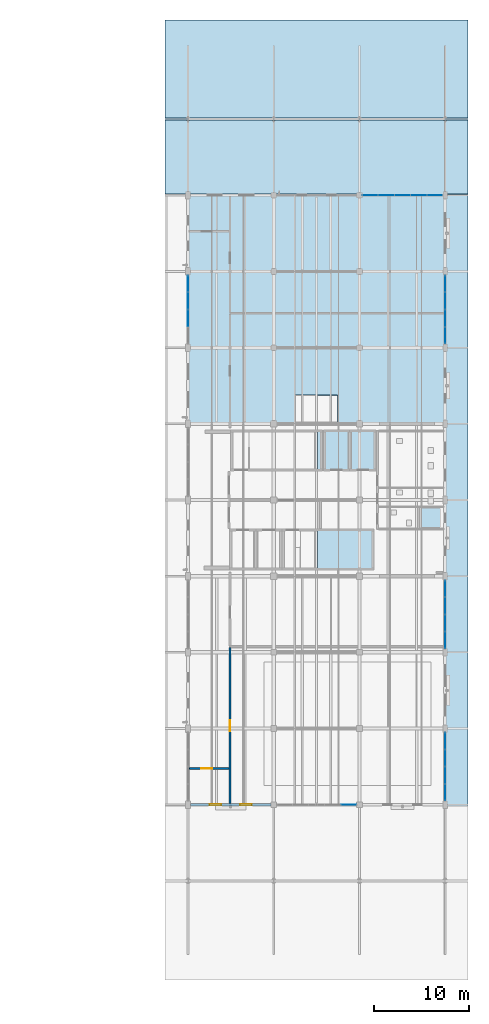
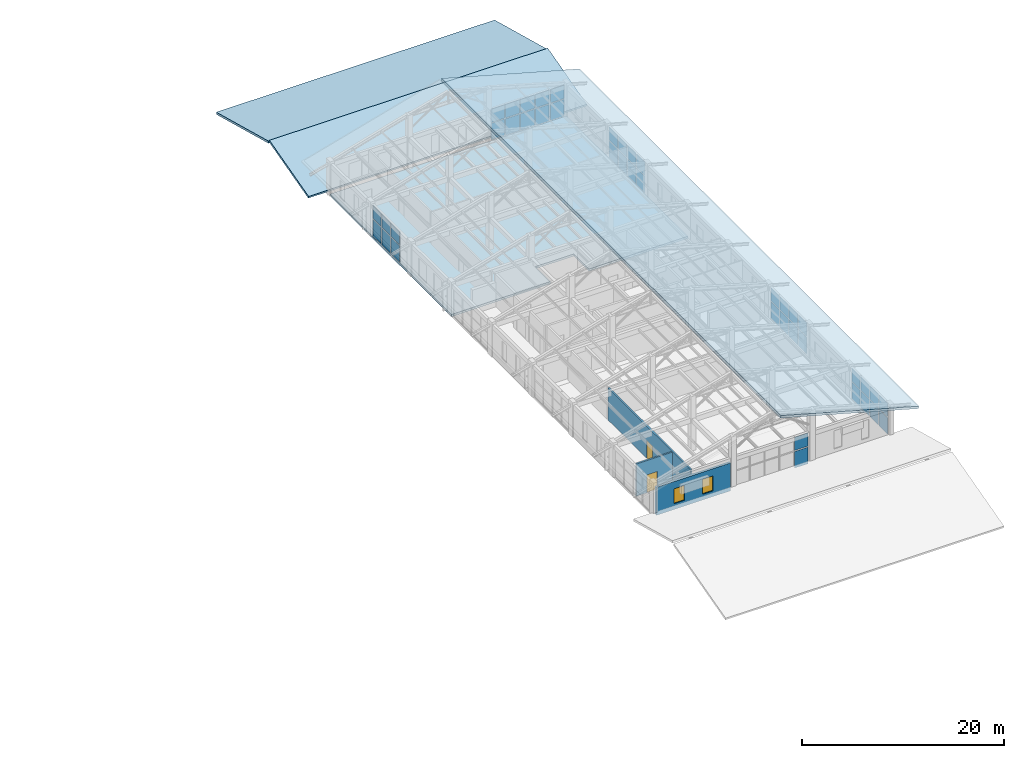
# One storey, part 46 of 58: 42 plates, 4 slabs, 3 walls, 2 doors, 2 windows, 4 openings, 8 elements without a shape of their own.
"""IFC4 building model written with IfcOpenShell, lengths in metres."""

from ifc_helpers import new_model, si_unit, derived_unit, direction, frame, frame_2d, origin, origin_2d, place, context, subcontext, project, spatial, polyline, rectangle, outline, extrude, material, layer, layer_set, type_object, element, fill, aggregate, save


model = new_model("IFC4")

# Units and contexts
model_context = context("Model", 3, precision=1e-05, world=origin(), true_north=direction((0.0, 1.0)))
body_context = subcontext(model_context, "Body", "Model", "MODEL_VIEW")
ifc_project = project(units=[si_unit("LENGTHUNIT", "METRE"), si_unit("AREAUNIT", "SQUARE_METRE"), si_unit("VOLUMEUNIT", "CUBIC_METRE"), si_unit("PLANEANGLEUNIT", "RADIAN"), si_unit("MASSUNIT", "GRAM", prefix="KILO"), derived_unit("THERMALTRANSMITTANCEUNIT", [(si_unit("MASSUNIT", "GRAM", prefix="KILO"), 1), (si_unit("TIMEUNIT", "SECOND"), -3), (si_unit("THERMODYNAMICTEMPERATUREUNIT", "KELVIN"), -1)])], contexts=[model_context])

# Site, building, storey
site_placement = place(None, origin())
site = spatial("IfcSite", under=ifc_project, at=site_placement, CompositionType="ELEMENT")
building_placement = place(site_placement, origin())
building = spatial("IfcBuilding", under=site, at=building_placement, Name="Zhenchuan Archway Interchange", CompositionType="ELEMENT")
storey_placement = place(building_placement, frame((0.0, 0.0, 22.800048828125)))
storey = spatial("IfcBuildingStorey", under=building, at=storey_placement, Name="L05", CompositionType="ELEMENT", Elevation=22.800048828125)

# Curtain wall, plate
ifc_material_1 = material(Name="Anodised Aluminium", Category="aluminium")
curtain_wall_type_1 = type_object("IfcCurtainWallType", Name="CW_UNIT_1", PredefinedType="NOTDEFINED", material=ifc_material_1)
curtain_wall_1_placement = place(storey_placement, origin())
curtain_wall_1 = element("IfcCurtainWall", 1, at=curtain_wall_1_placement, inside=storey, type_object=curtain_wall_type_1, Name="Unitised curtain wall CW:L05:200", PredefinedType="NOTDEFINED")
ifc_material_2 = material(Name="Double Low-E Insulated Glazing", Category="glass")
ifc_layer_1 = layer(ifc_material_2, 0.028076171875)
ifc_layer_set_1 = layer_set([ifc_layer_1], Name="Double Low-E Insulated Glazing")
plate_type_1 = type_object("IfcPlateType", Name="CW_GLZ_1", PredefinedType="CURTAIN_PANEL", material=ifc_layer_set_1)
plate_1_placement = place(storey_placement, frame((160.87548828125, 24.0, 0.080078125), z_axis=(0.0, 0.0, 1.0), x_axis=(-1.0, 0.0, 0.0)))
plate_1 = element("IfcPlate", 2, at=plate_1_placement, type_object=plate_type_1, Name="CW:L05:200 lower glazing panel 0", PredefinedType="CURTAIN_PANEL", context=body_context, shape_type="SweptSolid", body=[
    extrude(rectangle(XDim=1.53271484375, YDim=0.028076171875, at=origin_2d()), origin(), (0.0, 0.0, 1.0), 2.0048828125),
])

# Curtain wall, plates
curtain_wall_type_2 = type_object("IfcCurtainWallType", Name="CW_UNIT_2", PredefinedType="NOTDEFINED", material=ifc_material_1)
curtain_wall_2_placement = place(storey_placement, origin())
curtain_wall_2 = element("IfcCurtainWall", 3, at=curtain_wall_2_placement, inside=storey, type_object=curtain_wall_type_2, Name="Unitised curtain wall CW:L05:205", PredefinedType="NOTDEFINED")
plate_2_placement = place(storey_placement, frame((163.12939453125, 88.0, 0.080078125), z_axis=(0.0, 0.0, 1.0), x_axis=(1.0, 0.0, 0.0)))
plate_2 = element("IfcPlate", 4, at=plate_2_placement, type_object=plate_type_1, Name="CW:L05:205 lower glazing panel 0", PredefinedType="CURTAIN_PANEL", context=body_context, shape_type="SweptSolid", body=[
    extrude(rectangle(XDim=1.542724609375, YDim=0.028076171875, at=origin_2d()), origin(), (0.0, 0.0, 1.0), 2.0048828125),
])
plate_3_placement = place(storey_placement, frame((164.822265625, 88.0, 0.080078125), z_axis=(0.0, 0.0, 1.0), x_axis=(1.0, 0.0, 0.0)))
plate_3 = element("IfcPlate", 5, at=plate_3_placement, type_object=plate_type_1, Name="CW:L05:205 lower glazing panel 1", PredefinedType="CURTAIN_PANEL", context=body_context, shape_type="SweptSolid", body=[
    extrude(rectangle(XDim=1.562744140625, YDim=0.028076171875, at=origin_2d()), origin(), (0.0, 0.0, 1.0), 2.0048828125),
])
plate_4_placement = place(storey_placement, frame((166.52490234375, 88.0, 0.080078125), z_axis=(0.0, 0.0, 1.0), x_axis=(1.0, 0.0, 0.0)))
plate_4 = element("IfcPlate", 6, at=plate_4_placement, type_object=plate_type_1, Name="CW:L05:205 lower glazing panel 2", PredefinedType="CURTAIN_PANEL", context=body_context, shape_type="SweptSolid", body=[
    extrude(rectangle(XDim=1.562744140625, YDim=0.028076171875, at=origin_2d()), origin(), (0.0, 0.0, 1.0), 2.0048828125),
])
plate_5_placement = place(storey_placement, frame((168.227783203125, 88.0, 0.080078125), z_axis=(0.0, 0.0, 1.0), x_axis=(1.0, 0.0, 0.0)))
plate_5 = element("IfcPlate", 7, at=plate_5_placement, type_object=plate_type_1, Name="CW:L05:205 lower glazing panel 3", PredefinedType="CURTAIN_PANEL", context=body_context, shape_type="SweptSolid", body=[
    extrude(rectangle(XDim=1.562744140625, YDim=0.028076171875, at=origin_2d()), origin(), (0.0, 0.0, 1.0), 2.0048828125),
])
plate_6_placement = place(storey_placement, frame((169.920654296875, 88.0, 0.080078125), z_axis=(0.0, 0.0, 1.0), x_axis=(1.0, 0.0, 0.0)))
plate_6 = element("IfcPlate", 8, at=plate_6_placement, type_object=plate_type_1, Name="CW:L05:205 lower glazing panel 4", PredefinedType="CURTAIN_PANEL", context=body_context, shape_type="SweptSolid", body=[
    extrude(rectangle(XDim=1.542724609375, YDim=0.028076171875, at=origin_2d()), origin(), (0.0, 0.0, 1.0), 2.0048828125),
])

# Plate
ifc_layer_2 = layer(ifc_material_2, 0.02587890625)
ifc_layer_set_2 = layer_set([ifc_layer_2], Name="Double Low-E Insulated Glazing")
plate_type_2 = type_object("IfcPlateType", Name="CW_GLZ_2", PredefinedType="CURTAIN_PANEL", material=ifc_layer_set_2)
plate_7_placement = place(storey_placement, frame((160.87548828125, 24.0, 2.205078125), z_axis=(0.0, 0.0, 1.0), x_axis=(-1.0, 0.0, 0.0)))
plate_7 = element("IfcPlate", 9, at=plate_7_placement, type_object=plate_type_2, Name="CW:L05:200 upper glazing panel 0", PredefinedType="CURTAIN_PANEL", context=body_context, shape_type="SweptSolid", body=[
    extrude(rectangle(XDim=1.53271484375, YDim=0.02587890625, at=origin_2d()), origin(), (0.0, 0.0, 1.0), 1.614990234375),
])

aggregate(curtain_wall_1, [plate_1, plate_7])

plate_8_placement = place(storey_placement, frame((163.12939453125, 88.0, 2.205078125), z_axis=(0.0, 0.0, 1.0), x_axis=(1.0, 0.0, 0.0)))
plate_8 = element("IfcPlate", 10, at=plate_8_placement, type_object=plate_type_2, Name="CW:L05:205 upper glazing panel 0", PredefinedType="CURTAIN_PANEL", context=body_context, shape_type="SweptSolid", body=[
    extrude(rectangle(XDim=1.542724609375, YDim=0.02587890625, at=origin_2d()), origin(), (0.0, 0.0, 1.0), 1.614990234375),
])

plate_9_placement = place(storey_placement, frame((164.822265625, 88.0, 2.205078125), z_axis=(0.0, 0.0, 1.0), x_axis=(1.0, 0.0, 0.0)))
plate_9 = element("IfcPlate", 11, at=plate_9_placement, type_object=plate_type_2, Name="CW:L05:205 upper glazing panel 1", PredefinedType="CURTAIN_PANEL", context=body_context, shape_type="SweptSolid", body=[
    extrude(rectangle(XDim=1.562744140625, YDim=0.02587890625, at=origin_2d()), origin(), (0.0, 0.0, 1.0), 1.614990234375),
])

plate_10_placement = place(storey_placement, frame((166.52490234375, 88.0, 2.205078125), z_axis=(0.0, 0.0, 1.0), x_axis=(1.0, 0.0, 0.0)))
plate_10 = element("IfcPlate", 12, at=plate_10_placement, type_object=plate_type_2, Name="CW:L05:205 upper glazing panel 2", PredefinedType="CURTAIN_PANEL", context=body_context, shape_type="SweptSolid", body=[
    extrude(rectangle(XDim=1.562744140625, YDim=0.02587890625, at=origin_2d()), origin(), (0.0, 0.0, 1.0), 1.614990234375),
])

plate_11_placement = place(storey_placement, frame((168.227783203125, 88.0, 2.205078125), z_axis=(0.0, 0.0, 1.0), x_axis=(1.0, 0.0, 0.0)))
plate_11 = element("IfcPlate", 13, at=plate_11_placement, type_object=plate_type_2, Name="CW:L05:205 upper glazing panel 3", PredefinedType="CURTAIN_PANEL", context=body_context, shape_type="SweptSolid", body=[
    extrude(rectangle(XDim=1.562744140625, YDim=0.02587890625, at=origin_2d()), origin(), (0.0, 0.0, 1.0), 1.614990234375),
])

plate_12_placement = place(storey_placement, frame((169.920654296875, 88.0, 2.205078125), z_axis=(0.0, 0.0, 1.0), x_axis=(1.0, 0.0, 0.0)))
plate_12 = element("IfcPlate", 14, at=plate_12_placement, type_object=plate_type_2, Name="CW:L05:205 upper glazing panel 4", PredefinedType="CURTAIN_PANEL", context=body_context, shape_type="SweptSolid", body=[
    extrude(rectangle(XDim=1.542724609375, YDim=0.02587890625, at=origin_2d()), origin(), (0.0, 0.0, 1.0), 1.614990234375),
])

aggregate(curtain_wall_2, [plate_2, plate_8, plate_3, plate_9, plate_4, plate_10, plate_5, plate_11, plate_6, plate_12])

# Curtain wall, plates
curtain_wall_3_placement = place(storey_placement, origin())
curtain_wall_3 = element("IfcCurtainWall", 15, at=curtain_wall_3_placement, inside=storey, type_object=curtain_wall_type_1, Name="Unitised curtain wall CW:L05:204", PredefinedType="NOTDEFINED")
ifc_layer_3 = layer(ifc_material_2, 0.030029296875)
ifc_layer_set_3 = layer_set([ifc_layer_3], Name="Double Low-E Insulated Glazing")
plate_type_3 = type_object("IfcPlateType", Name="CW_GLZ_3", PredefinedType="CURTAIN_PANEL", material=ifc_layer_set_3)
plate_13_placement = place(storey_placement, frame((144.0, 75.092041015625, 0.080078125), z_axis=(0.0, 0.0, 1.0), x_axis=(0.0, 1.0, 0.0)))
plate_13 = element("IfcPlate", 16, at=plate_13_placement, type_object=plate_type_3, Name="CW:L05:204 lower glazing panel 1", PredefinedType="CURTAIN_PANEL", context=body_context, shape_type="SweptSolid", body=[
    extrude(rectangle(XDim=1.676025390625, YDim=0.028076171875, at=origin_2d()), origin(), (0.0, 0.0, 1.0), 2.0048828125),
])
plate_14_placement = place(storey_placement, frame((144.0, 76.907958984375, 0.080078125), z_axis=(0.0, 0.0, 1.0), x_axis=(0.0, 1.0, 0.0)))
plate_14 = element("IfcPlate", 17, at=plate_14_placement, type_object=plate_type_3, Name="CW:L05:204 lower glazing panel 2", PredefinedType="CURTAIN_PANEL", context=body_context, shape_type="SweptSolid", body=[
    extrude(rectangle(XDim=1.676025390625, YDim=0.028076171875, at=origin_2d()), origin(), (0.0, 0.0, 1.0), 2.0048828125),
])
plate_15_placement = place(storey_placement, frame((144.0, 78.714111328125, 0.080078125), z_axis=(0.0, 0.0, 1.0), x_axis=(0.0, 1.0, 0.0)))
plate_15 = element("IfcPlate", 18, at=plate_15_placement, type_object=plate_type_3, Name="CW:L05:204 lower glazing panel 3", PredefinedType="CURTAIN_PANEL", context=body_context, shape_type="SweptSolid", body=[
    extrude(rectangle(XDim=1.656005859375, YDim=0.028076171875, at=origin_2d()), origin(), (0.0, 0.0, 1.0), 2.0048828125),
])

curtain_wall_type_3 = type_object("IfcCurtainWallType", Name="CW_UNIT_3", PredefinedType="NOTDEFINED", material=ifc_material_1)
curtain_wall_4_placement = place(storey_placement, origin())
curtain_wall_4 = element("IfcCurtainWall", 19, at=curtain_wall_4_placement, inside=storey, type_object=curtain_wall_type_3, Name="Unitised curtain wall CW:L05:206", PredefinedType="NOTDEFINED")
plate_16_placement = place(storey_placement, frame((171.0, 78.714111328125, 0.080078125), z_axis=(0.0, 0.0, 1.0), x_axis=(0.0, -1.0, 0.0)))
plate_16 = element("IfcPlate", 20, at=plate_16_placement, type_object=plate_type_3, Name="CW:L05:206 lower glazing panel 0", PredefinedType="CURTAIN_PANEL", context=body_context, shape_type="SweptSolid", body=[
    extrude(rectangle(XDim=1.656005859375, YDim=0.028076171875, at=origin_2d()), origin(), (0.0, 0.0, 1.0), 2.0048828125),
])
plate_17_placement = place(storey_placement, frame((171.0, 76.907958984375, 0.080078125), z_axis=(0.0, 0.0, 1.0), x_axis=(0.0, -1.0, 0.0)))
plate_17 = element("IfcPlate", 21, at=plate_17_placement, type_object=plate_type_3, Name="CW:L05:206 lower glazing panel 1", PredefinedType="CURTAIN_PANEL", context=body_context, shape_type="SweptSolid", body=[
    extrude(rectangle(XDim=1.676025390625, YDim=0.028076171875, at=origin_2d()), origin(), (0.0, 0.0, 1.0), 2.0048828125),
])
plate_18_placement = place(storey_placement, frame((171.0, 75.092041015625, 0.080078125), z_axis=(0.0, 0.0, 1.0), x_axis=(0.0, -1.0, 0.0)))
plate_18 = element("IfcPlate", 22, at=plate_18_placement, type_object=plate_type_3, Name="CW:L05:206 lower glazing panel 2", PredefinedType="CURTAIN_PANEL", context=body_context, shape_type="SweptSolid", body=[
    extrude(rectangle(XDim=1.676025390625, YDim=0.028076171875, at=origin_2d()), origin(), (0.0, 0.0, 1.0), 2.0048828125),
])
plate_19_placement = place(storey_placement, frame((171.0, 73.285888671875, 0.080078125), z_axis=(0.0, 0.0, 1.0), x_axis=(0.0, -1.0, 0.0)))
plate_19 = element("IfcPlate", 23, at=plate_19_placement, type_object=plate_type_3, Name="CW:L05:206 lower glazing panel 3", PredefinedType="CURTAIN_PANEL", context=body_context, shape_type="SweptSolid", body=[
    extrude(rectangle(XDim=1.656005859375, YDim=0.028076171875, at=origin_2d()), origin(), (0.0, 0.0, 1.0), 2.0048828125),
])

curtain_wall_type_4 = type_object("IfcCurtainWallType", Name="CW_UNIT_4", PredefinedType="NOTDEFINED", material=ifc_material_1)
curtain_wall_5_placement = place(storey_placement, origin())
curtain_wall_5 = element("IfcCurtainWall", 24, at=curtain_wall_5_placement, inside=storey, type_object=curtain_wall_type_4, Name="Unitised curtain wall CW:L05:207", PredefinedType="NOTDEFINED")
plate_20_placement = place(storey_placement, frame((171.0, 46.714111328125, 0.080078125), z_axis=(0.0, 0.0, 1.0), x_axis=(0.0, -1.0, 0.0)))
plate_20 = element("IfcPlate", 25, at=plate_20_placement, type_object=plate_type_3, Name="CW:L05:207 lower glazing panel 0", PredefinedType="CURTAIN_PANEL", context=body_context, shape_type="SweptSolid", body=[
    extrude(rectangle(XDim=1.656005859375, YDim=0.028076171875, at=origin_2d()), origin(), (0.0, 0.0, 1.0), 2.0048828125),
])
plate_21_placement = place(storey_placement, frame((171.0, 44.907958984375, 0.080078125), z_axis=(0.0, 0.0, 1.0), x_axis=(0.0, -1.0, 0.0)))
plate_21 = element("IfcPlate", 26, at=plate_21_placement, type_object=plate_type_3, Name="CW:L05:207 lower glazing panel 1", PredefinedType="CURTAIN_PANEL", context=body_context, shape_type="SweptSolid", body=[
    extrude(rectangle(XDim=1.676025390625, YDim=0.028076171875, at=origin_2d()), origin(), (0.0, 0.0, 1.0), 2.0048828125),
])
plate_22_placement = place(storey_placement, frame((171.0, 43.092041015625, 0.080078125), z_axis=(0.0, 0.0, 1.0), x_axis=(0.0, -1.0, 0.0)))
plate_22 = element("IfcPlate", 27, at=plate_22_placement, type_object=plate_type_3, Name="CW:L05:207 lower glazing panel 2", PredefinedType="CURTAIN_PANEL", context=body_context, shape_type="SweptSolid", body=[
    extrude(rectangle(XDim=1.676025390625, YDim=0.028076171875, at=origin_2d()), origin(), (0.0, 0.0, 1.0), 2.0048828125),
])
plate_23_placement = place(storey_placement, frame((171.0, 41.285888671875, 0.080078125), z_axis=(0.0, 0.0, 1.0), x_axis=(0.0, -1.0, 0.0)))
plate_23 = element("IfcPlate", 28, at=plate_23_placement, type_object=plate_type_3, Name="CW:L05:207 lower glazing panel 3", PredefinedType="CURTAIN_PANEL", context=body_context, shape_type="SweptSolid", body=[
    extrude(rectangle(XDim=1.656005859375, YDim=0.028076171875, at=origin_2d()), origin(), (0.0, 0.0, 1.0), 2.0048828125),
])

curtain_wall_6_placement = place(storey_placement, origin())
curtain_wall_6 = element("IfcCurtainWall", 29, at=curtain_wall_6_placement, inside=storey, type_object=curtain_wall_type_1, Name="Unitised curtain wall CW:L05:208", PredefinedType="NOTDEFINED")
plate_24_placement = place(storey_placement, frame((171.0, 30.714111328125, 0.080078125), z_axis=(0.0, 0.0, 1.0), x_axis=(0.0, -1.0, 0.0)))
plate_24 = element("IfcPlate", 30, at=plate_24_placement, type_object=plate_type_3, Name="CW:L05:208 lower glazing panel 0", PredefinedType="CURTAIN_PANEL", context=body_context, shape_type="SweptSolid", body=[
    extrude(rectangle(XDim=1.656005859375, YDim=0.028076171875, at=origin_2d()), origin(), (0.0, 0.0, 1.0), 2.0048828125),
])
plate_25_placement = place(storey_placement, frame((171.0, 28.907958984375, 0.080078125), z_axis=(0.0, 0.0, 1.0), x_axis=(0.0, -1.0, 0.0)))
plate_25 = element("IfcPlate", 31, at=plate_25_placement, type_object=plate_type_3, Name="CW:L05:208 lower glazing panel 1", PredefinedType="CURTAIN_PANEL", context=body_context, shape_type="SweptSolid", body=[
    extrude(rectangle(XDim=1.676025390625, YDim=0.028076171875, at=origin_2d()), origin(), (0.0, 0.0, 1.0), 2.0048828125),
])
plate_26_placement = place(storey_placement, frame((171.0, 27.092041015625, 0.080078125), z_axis=(0.0, 0.0, 1.0), x_axis=(0.0, -1.0, 0.0)))
plate_26 = element("IfcPlate", 32, at=plate_26_placement, type_object=plate_type_3, Name="CW:L05:208 lower glazing panel 2", PredefinedType="CURTAIN_PANEL", context=body_context, shape_type="SweptSolid", body=[
    extrude(rectangle(XDim=1.676025390625, YDim=0.028076171875, at=origin_2d()), origin(), (0.0, 0.0, 1.0), 2.0048828125),
])
plate_27_placement = place(storey_placement, frame((171.0, 25.285888671875, 0.080078125), z_axis=(0.0, 0.0, 1.0), x_axis=(0.0, -1.0, 0.0)))
plate_27 = element("IfcPlate", 33, at=plate_27_placement, type_object=plate_type_3, Name="CW:L05:208 lower glazing panel 3", PredefinedType="CURTAIN_PANEL", context=body_context, shape_type="SweptSolid", body=[
    extrude(rectangle(XDim=1.656005859375, YDim=0.028076171875, at=origin_2d()), origin(), (0.0, 0.0, 1.0), 2.0048828125),
])

# Plate
ifc_layer_4 = layer(ifc_material_2, 0.02392578125)
ifc_layer_set_4 = layer_set([ifc_layer_4], Name="Double Low-E Insulated Glazing")
plate_type_4 = type_object("IfcPlateType", Name="CW_GLZ_4", PredefinedType="CURTAIN_PANEL", material=ifc_layer_set_4)
plate_28_placement = place(storey_placement, frame((144.0, 75.092041015625, 2.205078125), z_axis=(0.0, 0.0, 1.0), x_axis=(0.0, 1.0, 0.0)))
plate_28 = element("IfcPlate", 34, at=plate_28_placement, type_object=plate_type_4, Name="CW:L05:204 upper glazing panel 1", PredefinedType="CURTAIN_PANEL", context=body_context, shape_type="SweptSolid", body=[
    extrude(rectangle(XDim=1.676025390625, YDim=0.02587890625, at=origin_2d()), origin(), (0.0, 0.0, 1.0), 1.614990234375),
])

plate_29_placement = place(storey_placement, frame((144.0, 76.907958984375, 2.205078125), z_axis=(0.0, 0.0, 1.0), x_axis=(0.0, 1.0, 0.0)))
plate_29 = element("IfcPlate", 35, at=plate_29_placement, type_object=plate_type_4, Name="CW:L05:204 upper glazing panel 2", PredefinedType="CURTAIN_PANEL", context=body_context, shape_type="SweptSolid", body=[
    extrude(rectangle(XDim=1.676025390625, YDim=0.02587890625, at=origin_2d()), origin(), (0.0, 0.0, 1.0), 1.614990234375),
])

plate_30_placement = place(storey_placement, frame((144.0, 78.714111328125, 2.205078125), z_axis=(0.0, 0.0, 1.0), x_axis=(0.0, 1.0, 0.0)))
plate_30 = element("IfcPlate", 36, at=plate_30_placement, type_object=plate_type_4, Name="CW:L05:204 upper glazing panel 3", PredefinedType="CURTAIN_PANEL", context=body_context, shape_type="SweptSolid", body=[
    extrude(rectangle(XDim=1.656005859375, YDim=0.02587890625, at=origin_2d()), origin(), (0.0, 0.0, 1.0), 1.614990234375),
])

aggregate(curtain_wall_3, [plate_13, plate_28, plate_14, plate_29, plate_15, plate_30])

plate_31_placement = place(storey_placement, frame((171.0, 78.714111328125, 2.205078125), z_axis=(0.0, 0.0, 1.0), x_axis=(0.0, -1.0, 0.0)))
plate_31 = element("IfcPlate", 37, at=plate_31_placement, type_object=plate_type_4, Name="CW:L05:206 upper glazing panel 0", PredefinedType="CURTAIN_PANEL", context=body_context, shape_type="SweptSolid", body=[
    extrude(rectangle(XDim=1.656005859375, YDim=0.02587890625, at=origin_2d()), origin(), (0.0, 0.0, 1.0), 1.614990234375),
])

plate_32_placement = place(storey_placement, frame((171.0, 76.907958984375, 2.205078125), z_axis=(0.0, 0.0, 1.0), x_axis=(0.0, -1.0, 0.0)))
plate_32 = element("IfcPlate", 38, at=plate_32_placement, type_object=plate_type_4, Name="CW:L05:206 upper glazing panel 1", PredefinedType="CURTAIN_PANEL", context=body_context, shape_type="SweptSolid", body=[
    extrude(rectangle(XDim=1.676025390625, YDim=0.02587890625, at=origin_2d()), origin(), (0.0, 0.0, 1.0), 1.614990234375),
])

plate_33_placement = place(storey_placement, frame((171.0, 75.092041015625, 2.205078125), z_axis=(0.0, 0.0, 1.0), x_axis=(0.0, -1.0, 0.0)))
plate_33 = element("IfcPlate", 39, at=plate_33_placement, type_object=plate_type_4, Name="CW:L05:206 upper glazing panel 2", PredefinedType="CURTAIN_PANEL", context=body_context, shape_type="SweptSolid", body=[
    extrude(rectangle(XDim=1.676025390625, YDim=0.02587890625, at=origin_2d()), origin(), (0.0, 0.0, 1.0), 1.614990234375),
])

plate_34_placement = place(storey_placement, frame((171.0, 73.285888671875, 2.205078125), z_axis=(0.0, 0.0, 1.0), x_axis=(0.0, -1.0, 0.0)))
plate_34 = element("IfcPlate", 40, at=plate_34_placement, type_object=plate_type_4, Name="CW:L05:206 upper glazing panel 3", PredefinedType="CURTAIN_PANEL", context=body_context, shape_type="SweptSolid", body=[
    extrude(rectangle(XDim=1.656005859375, YDim=0.02587890625, at=origin_2d()), origin(), (0.0, 0.0, 1.0), 1.614990234375),
])

aggregate(curtain_wall_4, [plate_16, plate_31, plate_17, plate_32, plate_18, plate_33, plate_19, plate_34])

plate_35_placement = place(storey_placement, frame((171.0, 46.714111328125, 2.205078125), z_axis=(0.0, 0.0, 1.0), x_axis=(0.0, -1.0, 0.0)))
plate_35 = element("IfcPlate", 41, at=plate_35_placement, type_object=plate_type_4, Name="CW:L05:207 upper glazing panel 0", PredefinedType="CURTAIN_PANEL", context=body_context, shape_type="SweptSolid", body=[
    extrude(rectangle(XDim=1.656005859375, YDim=0.02587890625, at=origin_2d()), origin(), (0.0, 0.0, 1.0), 1.614990234375),
])

plate_36_placement = place(storey_placement, frame((171.0, 44.907958984375, 2.205078125), z_axis=(0.0, 0.0, 1.0), x_axis=(0.0, -1.0, 0.0)))
plate_36 = element("IfcPlate", 42, at=plate_36_placement, type_object=plate_type_4, Name="CW:L05:207 upper glazing panel 1", PredefinedType="CURTAIN_PANEL", context=body_context, shape_type="SweptSolid", body=[
    extrude(rectangle(XDim=1.676025390625, YDim=0.02587890625, at=origin_2d()), origin(), (0.0, 0.0, 1.0), 1.614990234375),
])

plate_37_placement = place(storey_placement, frame((171.0, 43.092041015625, 2.205078125), z_axis=(0.0, 0.0, 1.0), x_axis=(0.0, -1.0, 0.0)))
plate_37 = element("IfcPlate", 43, at=plate_37_placement, type_object=plate_type_4, Name="CW:L05:207 upper glazing panel 2", PredefinedType="CURTAIN_PANEL", context=body_context, shape_type="SweptSolid", body=[
    extrude(rectangle(XDim=1.676025390625, YDim=0.02587890625, at=origin_2d()), origin(), (0.0, 0.0, 1.0), 1.614990234375),
])

plate_38_placement = place(storey_placement, frame((171.0, 41.285888671875, 2.205078125), z_axis=(0.0, 0.0, 1.0), x_axis=(0.0, -1.0, 0.0)))
plate_38 = element("IfcPlate", 44, at=plate_38_placement, type_object=plate_type_4, Name="CW:L05:207 upper glazing panel 3", PredefinedType="CURTAIN_PANEL", context=body_context, shape_type="SweptSolid", body=[
    extrude(rectangle(XDim=1.656005859375, YDim=0.02587890625, at=origin_2d()), origin(), (0.0, 0.0, 1.0), 1.614990234375),
])

aggregate(curtain_wall_5, [plate_20, plate_35, plate_21, plate_36, plate_22, plate_37, plate_23, plate_38])

plate_39_placement = place(storey_placement, frame((171.0, 30.714111328125, 2.205078125), z_axis=(0.0, 0.0, 1.0), x_axis=(0.0, -1.0, 0.0)))
plate_39 = element("IfcPlate", 45, at=plate_39_placement, type_object=plate_type_4, Name="CW:L05:208 upper glazing panel 0", PredefinedType="CURTAIN_PANEL", context=body_context, shape_type="SweptSolid", body=[
    extrude(rectangle(XDim=1.656005859375, YDim=0.02587890625, at=origin_2d()), origin(), (0.0, 0.0, 1.0), 1.614990234375),
])

plate_40_placement = place(storey_placement, frame((171.0, 28.907958984375, 2.205078125), z_axis=(0.0, 0.0, 1.0), x_axis=(0.0, -1.0, 0.0)))
plate_40 = element("IfcPlate", 46, at=plate_40_placement, type_object=plate_type_4, Name="CW:L05:208 upper glazing panel 1", PredefinedType="CURTAIN_PANEL", context=body_context, shape_type="SweptSolid", body=[
    extrude(rectangle(XDim=1.676025390625, YDim=0.02587890625, at=origin_2d()), origin(), (0.0, 0.0, 1.0), 1.614990234375),
])

plate_41_placement = place(storey_placement, frame((171.0, 27.092041015625, 2.205078125), z_axis=(0.0, 0.0, 1.0), x_axis=(0.0, -1.0, 0.0)))
plate_41 = element("IfcPlate", 47, at=plate_41_placement, type_object=plate_type_4, Name="CW:L05:208 upper glazing panel 2", PredefinedType="CURTAIN_PANEL", context=body_context, shape_type="SweptSolid", body=[
    extrude(rectangle(XDim=1.676025390625, YDim=0.02587890625, at=origin_2d()), origin(), (0.0, 0.0, 1.0), 1.614990234375),
])

plate_42_placement = place(storey_placement, frame((171.0, 25.285888671875, 2.205078125), z_axis=(0.0, 0.0, 1.0), x_axis=(0.0, -1.0, 0.0)))
plate_42 = element("IfcPlate", 48, at=plate_42_placement, type_object=plate_type_4, Name="CW:L05:208 upper glazing panel 3", PredefinedType="CURTAIN_PANEL", context=body_context, shape_type="SweptSolid", body=[
    extrude(rectangle(XDim=1.656005859375, YDim=0.02587890625, at=origin_2d()), origin(), (0.0, 0.0, 1.0), 1.614990234375),
])

aggregate(curtain_wall_6, [plate_24, plate_39, plate_25, plate_40, plate_26, plate_41, plate_27, plate_42])

# Slab
ifc_material_3 = material(Name="Concrete C35", Category="concrete")
ifc_layer_5 = layer(ifc_material_3, 0.260009765625)
ifc_layer_set_5 = layer_set([ifc_layer_5], Name="Concrete C35")
slab_type_1 = type_object("IfcSlabType", Name="SLB_FLR_260", PredefinedType="FLOOR", material=ifc_layer_set_5)
slab_1_placement = place(storey_placement, frame((0.0, 0.0, -0.260009765625)))
element("IfcSlab", 49, at=slab_1_placement, inside=storey, type_object=slab_type_1, Name="Structural slab L05 CMD-N", PredefinedType="FLOOR", context=body_context, shape_type="SweptSolid", body=[
    extrude(outline(polyline([(144.0, 64.0), (144.0, 88.0), (171.0, 88.0), (171.0, 64.0), (159.699951171875, 64.0), (159.699951171875, 67.0), (155.300048828125, 67.0), (155.300048828125, 64.0), (144.0, 64.0)])), origin(), (0.0, 0.0, 1.0), 0.260009765625),
])

# Roof, slabs
roof_type = type_object("IfcRoofType", Name="ROOF_LINGNAN_STORM", PredefinedType="GABLE_ROOF", material=ifc_material_3)
roof_1_placement = place(storey_placement, origin())
roof_1 = element("IfcRoof", 50, at=roof_1_placement, inside=storey, type_object=roof_type, Name="Transit Operations 5-storey east bar pitched roofs", PredefinedType="GABLE_ROOF")
ifc_layer_6 = layer(ifc_material_3, 0.260009765625)
ifc_layer_set_6 = layer_set([ifc_layer_6], Name="Concrete C35")
slab_type_2 = type_object("IfcSlabType", Name="SLB_ROOF_260", PredefinedType="ROOF", material=ifc_layer_set_6)
slab_2_placement = place(storey_placement, frame((141.60009765625, 88.1201171875, 0.472900390625), z_axis=(0.0, -0.258804949058, 0.965929603202), x_axis=(1.0, 0.0, 0.0)))
slab_2 = element("IfcSlab", 51, at=slab_2_placement, type_object=slab_type_2, Name="East bar north wing south storm roof slope", PredefinedType="ROOF", context=body_context, shape_type="SweptSolid", body=[
    extrude(outline(polyline([(0.0, 0.0), (31.7998046875, 0.0), (31.7998046875, 8.033469105070461), (0.0, 8.033469105070461), (0.0, 0.0)])), origin(), (0.0, 0.0, -1.0), 0.260009765625),
])
slab_3_placement = place(storey_placement, frame((141.60009765625, 96.1201171875, 2.324951171875), z_axis=(0.0, 0.258856100703, 0.965915896509), x_axis=(1.0, 0.0, 0.0)))
slab_3 = element("IfcSlab", 52, at=slab_3_placement, type_object=slab_type_2, Name="East bar north wing north storm roof slope", PredefinedType="ROOF", context=body_context, shape_type="SweptSolid", body=[
    extrude(outline(polyline([(0.0, 0.0), (31.7998046875, 0.0), (31.7998046875, 10.642526117856876), (0.0, 10.642526117856876), (0.0, 0.0)])), origin(), (0.0, 0.0, -1.0), 0.260009765625),
])
aggregate(roof_1, [slab_2, slab_3])

# Roof, slab
roof_2_placement = place(storey_placement, origin())
roof_2 = element("IfcRoof", 53, at=roof_2_placement, inside=storey, type_object=roof_type, Name="Transit Operations 6-storey central command storm roof", PredefinedType="GABLE_ROOF")
ifc_material_4 = material(Name="Concrete C40", Category="concrete")
ifc_layer_7 = layer(ifc_material_4, 0.280029296875)
ifc_layer_set_7 = layer_set([ifc_layer_7], Name="Concrete C40")
slab_type_3 = type_object("IfcSlabType", Name="SLB_ROOF_280", PredefinedType="ROOF", material=ifc_layer_set_7)
slab_4_placement = place(storey_placement, frame((157.6201171875, 22.39990234375, 8.24658203125), z_axis=(0.2676454015, 0.0, 0.963517482486), x_axis=(0.963517482486, 0.0, -0.2676454015)))
slab_4 = element("IfcSlab", 54, at=slab_4_placement, type_object=slab_type_3, Name="Central command wing east Lingnan storm roof slope", PredefinedType="ROOF", context=body_context, shape_type="SweptSolid", body=[
    extrude(outline(polyline([(0.0, 0.0), (16.37726916541078, 0.0), (16.37726916541078, 67.2001953125), (0.0, 67.2001953125), (0.0, 0.0)])), origin(), (0.0, 0.0, -1.0), 0.280029296875),
])
aggregate(roof_2, [slab_4])

# Wall, openings, windows
ifc_material_5 = material(Name="Terracotta Masonry", Category="masonry")
ifc_layer_8 = layer(ifc_material_5, 0.280029296875)
ifc_layer_set_8 = layer_set([ifc_layer_8], Name="Terracotta Masonry")
wall_type_1 = type_object("IfcWallType", Name="EW_TERRA_280", PredefinedType="STANDARD", material=ifc_layer_set_8)
wall_1_placement = place(storey_placement, frame((152.701904296875, 24.0, 0.0), z_axis=(0.0, 0.0, 1.0), x_axis=(-1.0, 0.0, 0.0)))
wall_1 = element("IfcWall", 55, at=wall_1_placement, inside=storey, type_object=wall_type_1, Name="Exterior wall L05-003", PredefinedType="STANDARD", context=body_context, shape_type="SweptSolid", body=[
    extrude(rectangle(XDim=8.453857421875, YDim=0.280029296875, at=frame_2d((4.22705078125, 0.0))), origin(), (0.0, 0.0, 1.0), 3.369873046875),
])
opening_1_placement = place(wall_1_placement, frame((2.01806640625, 0.0, 0.699951171875)))
opening_1 = element("IfcOpeningElement", 56, at=opening_1_placement, cuts=wall_1, Name="Opening W-07", PredefinedType="OPENING", context=body_context, shape_type="SweptSolid", body=[
    extrude(rectangle(XDim=1.199951171875, YDim=1.800048828125, at=frame_2d((0.60009765625, 0.89990234375))), frame((0.0, 0.15185546875, 0.0), z_axis=(0.0, -1.0, 0.0), x_axis=(1.0, 0.0, 0.0)), (0.0, 0.0, 1.0), 0.303955078125),
])
opening_2_placement = place(wall_1_placement, frame((5.236083984375, 0.0, 0.699951171875)))
opening_2 = element("IfcOpeningElement", 57, at=opening_2_placement, cuts=wall_1, Name="Opening W-07", PredefinedType="OPENING", context=body_context, shape_type="SweptSolid", body=[
    extrude(rectangle(XDim=1.199951171875, YDim=1.800048828125, at=frame_2d((0.60009765625, 0.89990234375))), frame((0.0, 0.15185546875, 0.0), z_axis=(0.0, -1.0, 0.0), x_axis=(1.0, 0.0, 0.0)), (0.0, 0.0, 1.0), 0.303955078125),
])
window_type = type_object("IfcWindowType", Name="WN_MOD_1200x1800", PartitioningType="SINGLE_PANEL", PredefinedType="WINDOW", material=ifc_material_2)
window_1_placement = place(opening_1_placement, origin())
window_1 = element("IfcWindow", 58, at=window_1_placement, inside=storey, type_object=window_type, Name="Window L05-0339", OverallHeight=1.800048828125, OverallWidth=1.199951171875, PartitioningType="SINGLE_PANEL", PredefinedType="WINDOW", context=body_context, shape_type="SweptSolid", body=[
    extrude(rectangle(XDim=1.199951171875, YDim=1.800048828125, at=frame_2d((0.60009765625, 0.89990234375))), frame((0.0, 0.030029296875, 0.0), z_axis=(0.0, -1.0, 0.0), x_axis=(1.0, 0.0, 0.0)), (0.0, 0.0, 1.0), 0.06005859375),
])
fill(opening_1, window_1)
window_2_placement = place(opening_2_placement, origin())
window_2 = element("IfcWindow", 59, at=window_2_placement, inside=storey, type_object=window_type, Name="Window L05-0340", OverallHeight=1.800048828125, OverallWidth=1.199951171875, PartitioningType="SINGLE_PANEL", PredefinedType="WINDOW", context=body_context, shape_type="SweptSolid", body=[
    extrude(rectangle(XDim=1.199951171875, YDim=1.800048828125, at=frame_2d((0.60009765625, 0.89990234375))), frame((0.0, 0.030029296875, 0.0), z_axis=(0.0, -1.0, 0.0), x_axis=(1.0, 0.0, 0.0)), (0.0, 0.0, 1.0), 0.06005859375),
])
fill(opening_2, window_2)

# Wall, opening, door
ifc_material_6 = material(Name="Concrete Block Masonry", Category="masonry")
ifc_layer_9 = layer(ifc_material_6, 0.179931640625)
ifc_layer_set_9 = layer_set([ifc_layer_9], Name="Concrete Block Masonry")
wall_type_2 = type_object("IfcWallType", Name="WL_PART_180", PredefinedType="STANDARD", material=ifc_layer_set_9)
wall_2_placement = place(storey_placement, frame((148.39990234375, 24.155029296875, 0.0), z_axis=(0.0, 0.0, 1.0), x_axis=(0.0, 1.0, 0.0)))
wall_2 = element("IfcWall", 60, at=wall_2_placement, inside=storey, type_object=wall_type_2, Name="Station Operations Control Room W partition (L05)", PredefinedType="STANDARD", context=body_context, shape_type="SweptSolid", body=[
    extrude(rectangle(XDim=16.344970703125, YDim=0.179931640625, at=frame_2d((8.17236328125, 0.0))), origin(), (0.0, 0.0, 1.0), 3.889892578125),
])
opening_3_placement = place(wall_2_placement, frame((7.574951171875, 0.0, 0.0)))
opening_3 = element("IfcOpeningElement", 61, at=opening_3_placement, cuts=wall_2, Name="Opening ID-06", PredefinedType="OPENING", context=body_context, shape_type="SweptSolid", body=[
    extrude(rectangle(XDim=1.14990234375, YDim=2.14990234375, at=frame_2d((0.574951171875, 1.074951171875))), frame((0.0, 0.10205078125, 0.0), z_axis=(0.0, -1.0, 0.0), x_axis=(1.0, 0.0, 0.0)), (0.0, 0.0, 1.0), 0.203857421875),
])
ifc_material_7 = material(Name="Hardwood Timber", Category="wood")
door_type = type_object("IfcDoorType", Name="DR_CTRL_115", OperationType="NOTDEFINED", PredefinedType="DOOR", material=ifc_material_7)
door_1_placement = place(opening_3_placement, origin())
door_1 = element("IfcDoor", 62, at=door_1_placement, inside=storey, type_object=door_type, Name="Station Operations Control Room door (L05)", OperationType="SINGLE_SWING_LEFT", OverallHeight=2.14990234375, OverallWidth=1.14990234375, PredefinedType="DOOR", context=body_context, shape_type="SweptSolid", body=[
    extrude(rectangle(XDim=1.14990234375, YDim=2.14990234375, at=frame_2d((0.574951171875, 1.074951171875))), frame((0.0, 0.02490234375, 0.0), z_axis=(0.0, -1.0, 0.0), x_axis=(1.0, 0.0, 0.0)), (0.0, 0.0, 1.0), 0.050048828125),
])
fill(opening_3, door_1)

wall_3_placement = place(storey_placement, frame((144.155029296875, 27.800048828125, 0.0), z_axis=(0.0, 0.0, 1.0), x_axis=(1.0, 0.0, 0.0)))
wall_3 = element("IfcWall", 63, at=wall_3_placement, inside=storey, type_object=wall_type_2, Name="Monsoon and Typhoon Operations Desk N partition (L05)", PredefinedType="STANDARD", context=body_context, shape_type="SweptSolid", body=[
    extrude(rectangle(XDim=4.14501953125, YDim=0.179931640625, at=frame_2d((2.072509765625, 0.0))), origin(), (0.0, 0.0, 1.0), 3.889892578125),
])
opening_4_placement = place(wall_3_placement, frame((1.25, 0.0, 0.0)))
opening_4 = element("IfcOpeningElement", 64, at=opening_4_placement, cuts=wall_3, Name="Opening ID-06", PredefinedType="OPENING", context=body_context, shape_type="SweptSolid", body=[
    extrude(rectangle(XDim=1.14990234375, YDim=2.14990234375, at=frame_2d((0.574951171875, 1.074951171875))), frame((0.0, 0.10205078125, 0.0), z_axis=(0.0, -1.0, 0.0), x_axis=(1.0, 0.0, 0.0)), (0.0, 0.0, 1.0), 0.203857421875),
])
door_2_placement = place(opening_4_placement, origin())
door_2 = element("IfcDoor", 65, at=door_2_placement, inside=storey, type_object=door_type, Name="Monsoon and Typhoon Operations Desk door (L05)", OperationType="SINGLE_SWING_LEFT", OverallHeight=2.14990234375, OverallWidth=1.14990234375, PredefinedType="DOOR", context=body_context, shape_type="SweptSolid", body=[
    extrude(rectangle(XDim=1.14990234375, YDim=2.14990234375, at=frame_2d((0.574951171875, 1.074951171875))), frame((0.0, 0.02490234375, 0.0), z_axis=(0.0, -1.0, 0.0), x_axis=(1.0, 0.0, 0.0)), (0.0, 0.0, 1.0), 0.050048828125),
])
fill(opening_4, door_2)

save(model, "model.ifc")
